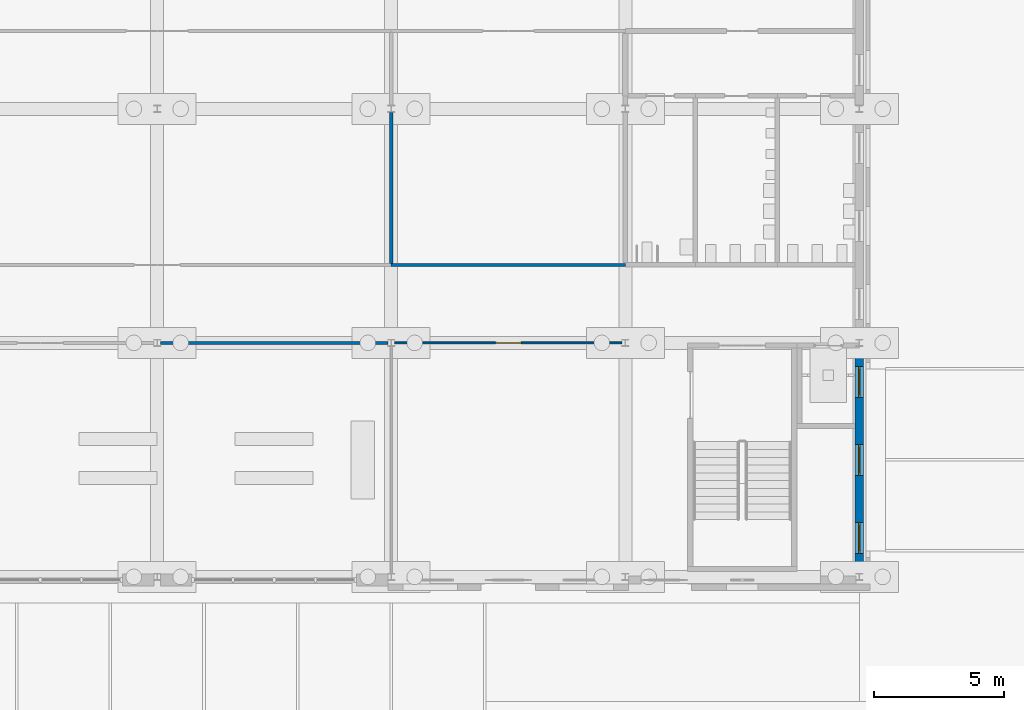
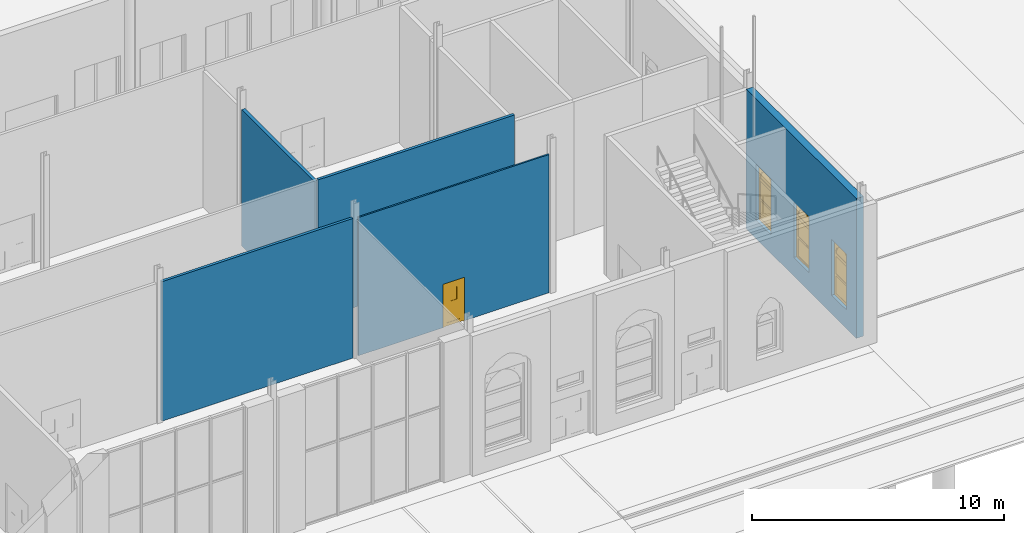
# One storey, part 116 of 250: 5 walls, 3 windows, 1 door, 4 openings.
"""IFC4 building model written with IfcOpenShell, lengths in metres."""

from ifc_helpers import new_model, si_unit, direction, frame, frame_2d, origin, place, context, subcontext, project, spatial, polyline, rectangle, outline, extrude, material, layer, layer_set, type_object, element, fill, save


model = new_model("IFC4")

# Units and contexts
model_context = context("Model", 3, precision=1e-05, world=origin(), true_north=direction((0.0, 1.0)))
body_context = subcontext(model_context, "Body", "Model", "MODEL_VIEW")
ifc_project = project(units=[si_unit("LENGTHUNIT", "METRE"), si_unit("AREAUNIT", "SQUARE_METRE"), si_unit("VOLUMEUNIT", "CUBIC_METRE"), si_unit("PLANEANGLEUNIT", "RADIAN"), si_unit("MASSUNIT", "GRAM", prefix="KILO")], contexts=[model_context])

# Site, building, storey
site_placement = place(None, origin())
site = spatial("IfcSite", under=ifc_project, at=site_placement, CompositionType="ELEMENT")
building_placement = place(site_placement, origin())
building = spatial("IfcBuilding", under=site, at=building_placement, Name="Baradari Gate Terminus", CompositionType="ELEMENT")
storey_placement = place(building_placement, origin())
storey = spatial("IfcBuildingStorey", under=building, at=storey_placement, Name="L00", CompositionType="ELEMENT", Elevation=0.0)

# Walls
ifc_material_1 = material(Name="Gypsum board")
ifc_layer_1 = layer(ifc_material_1, 0.125)
ifc_layer_set_1 = layer_set([ifc_layer_1], Name="Gypsum board")
wall_type_1 = type_object("IfcWallType", Name="Corridor partition PT-5 125 EI 30", PredefinedType="PARTITIONING", material=ifc_layer_set_1)
wall_1_placement = place(storey_placement, frame((134.871826171875, 18.0, 0.0), z_axis=(0.0, 0.0, 1.0), x_axis=(-1.0, 0.0, 0.0)))
element("IfcWall", 1, at=wall_1_placement, inside=storey, type_object=wall_type_1, Name="PT-5 partition Corridor (Service Corridor South) / South Waiting Lounge", PredefinedType="PARTITIONING", context=body_context, shape_type="SweptSolid", body=[
    extrude(rectangle(XDim=8.74365234375, YDim=0.125, at=frame_2d((4.371826171875, 0.0))), origin(), (0.0, 0.0, 1.0), 6.757080078125),
])
wall_2_placement = place(storey_placement, frame((135.0, 21.0, 0.0), z_axis=(0.0, 0.0, 1.0), x_axis=(1.0, 0.0, 0.0)))
element("IfcWall", 2, at=wall_2_placement, inside=storey, type_object=wall_type_1, Name="PT-5 partition Corridor (Service Corridor South) / Staff Mess", PredefinedType="PARTITIONING", context=body_context, shape_type="SweptSolid", body=[
    extrude(rectangle(XDim=9.0, YDim=0.125, at=frame_2d((4.5, 0.0))), origin(), (0.0, 0.0, 1.0), 6.757080078125),
])

# Wall, opening, door
ifc_material_2 = material(Name="Aluminium framed glazed partition", Category="aluminium")
ifc_layer_2 = layer(ifc_material_2, 0.074951171875)
ifc_layer_set_2 = layer_set([ifc_layer_2], Name="Aluminium framed glazed partition")
wall_type_2 = type_object("IfcWallType", Name="Kiosk partition PT-9 75 EI 60", PredefinedType="PARTITIONING", material=ifc_layer_set_2)
wall_3_placement = place(storey_placement, frame((143.871826171875, 18.0, 0.0), z_axis=(0.0, 0.0, 1.0), x_axis=(-1.0, 0.0, 0.0)))
wall_3 = element("IfcWall", 3, at=wall_3_placement, inside=storey, type_object=wall_type_2, Name="PT-9 partition Corridor (Service Corridor South) / Parcel Counter", PredefinedType="PARTITIONING", context=body_context, shape_type="SweptSolid", body=[
    extrude(rectangle(XDim=8.74365234375, YDim=0.074951171875, at=frame_2d((4.371826171875, 0.0))), origin(), (0.0, 0.0, 1.0), 6.69189453125),
])
opening_1_placement = place(wall_3_placement, frame((3.871826171875, 0.0, 0.0)))
opening_1 = element("IfcOpeningElement", 4, at=opening_1_placement, cuts=wall_3, Name="Opening D00-147", PredefinedType="OPENING", context=body_context, shape_type="SweptSolid", body=[
    extrude(rectangle(XDim=1.0, YDim=2.10009765625, at=frame_2d((0.5, 1.050048828125))), frame((0.0, 0.04736328125, 0.0), z_axis=(0.0, -1.0, 0.0), x_axis=(1.0, 0.0, 0.0)), (0.0, 0.0, 1.0), 0.094970703125),
])
ifc_material_3 = material(Name="Steel S275", Category="steel")
door_type = type_object("IfcDoorType", Name="Fire door FI-1000-FD60S 1000x2100 FD60S", OperationType="SINGLE_SWING_LEFT", PredefinedType="DOOR", material=ifc_material_3)
door_placement = place(opening_1_placement, origin())
door = element("IfcDoor", 5, at=door_placement, inside=storey, type_object=door_type, Name="Door Parcel Counter", OperationType="SINGLE_SWING_RIGHT", OverallHeight=2.1, OverallWidth=1.0, PredefinedType="DOOR", context=body_context, shape_type="SweptSolid", body=[
    extrude(outline(polyline([(0.0, 0.0), (0.070068359375, 0.0), (0.070068359375, 2.030029296875), (0.929931640625, 2.030029296875), (0.929931640625, 0.0), (1.0, 0.0), (1.0, 2.10009765625), (0.0, 2.10009765625), (0.0, 0.0)])), frame((0.0, 0.02490234375, 0.0), z_axis=(0.0, -1.0, 0.0), x_axis=(1.0, 0.0, 0.0)), (0.0, 0.0, 1.0), 0.050048828125),
    extrude(outline(polyline([(0.073974609375, 0.010009765625), (0.926025390625, 0.010009765625), (0.926025390625, 2.026123046875), (0.073974609375, 2.026123046875), (0.073974609375, 0.010009765625)]), holes=[polyline([(0.194091796875, 0.159912109375), (0.805908203125, 0.159912109375), (0.805908203125, 1.010009765625), (0.194091796875, 1.010009765625), (0.194091796875, 0.159912109375)]), polyline([(0.35009765625, 1.159912109375), (0.64990234375, 1.159912109375), (0.64990234375, 1.760009765625), (0.35009765625, 1.760009765625), (0.35009765625, 1.159912109375)])]), frame((0.0, 0.017333984375, 0.0), z_axis=(0.0, -1.0, 0.0), x_axis=(1.0, 0.0, 0.0)), (0.0, 0.0, 1.0), 0.034912109375),
    extrude(rectangle(XDim=0.61181640625, YDim=0.85009765625, at=frame_2d((0.5, 0.5849609375))), frame((0.0, 0.008544921875, 0.0), z_axis=(0.0, -1.0, 0.0), x_axis=(1.0, 0.0, 0.0)), (0.0, 0.0, 1.0), 0.017333984375),
    extrude(rectangle(XDim=0.2998046875, YDim=0.60009765625, at=frame_2d((0.5, 1.4599609375))), frame((0.0, 0.005859375, 0.0), z_axis=(0.0, -1.0, 0.0), x_axis=(1.0, 0.0, 0.0)), (0.0, 0.0, 1.0), 0.011962890625),
])
fill(opening_1, door)

# Wall
ifc_material_4 = material(Name="Blockwork wall, plastered", Category="masonry")
ifc_layer_3 = layer(ifc_material_4, 0.14990234375)
ifc_layer_set_3 = layer_set([ifc_layer_3], Name="Blockwork wall, plastered")
wall_type_3 = type_object("IfcWallType", Name="Partition PT-2 150 EI 60", PredefinedType="PARTITIONING", material=ifc_layer_set_3)
wall_4_placement = place(storey_placement, frame((135.0, 26.869873046875, 0.0), z_axis=(0.0, 0.0, 1.0), x_axis=(0.0, -1.0, 0.0)))
element("IfcWall", 6, at=wall_4_placement, inside=storey, type_object=wall_type_3, Name="PT-2 partition Baggage Hall / Staff Mess", PredefinedType="PARTITIONING", context=body_context, shape_type="SweptSolid", body=[
    extrude(rectangle(XDim=5.807373046875, YDim=0.14990234375, at=frame_2d((2.90380859375, 0.0))), origin(), (0.0, 0.0, 1.0), 6.60009765625),
])

# Wall, openings, windows
ifc_material_5 = material(Name="Sandstone masonry", Category="masonry")
ifc_layer_4 = layer(ifc_material_5, 0.320068359375)
ifc_layer_set_4 = layer_set([ifc_layer_4], Name="Sandstone masonry")
wall_type_4 = type_object("IfcWallType", Name="Sandstone masonry wall WS-3 320", PredefinedType="SOLIDWALL", material=ifc_layer_set_4)
wall_5_placement = place(storey_placement, frame((153.0, 9.126953125, 0.0), z_axis=(0.0, 0.0, 1.0), x_axis=(0.0, 1.0, 0.0)))
wall_5 = element("IfcWall", 7, at=wall_5_placement, inside=storey, type_object=wall_type_4, Name="east end wall SE bay 2 L00", PredefinedType="SOLIDWALL", context=body_context, shape_type="SweptSolid", body=[
    extrude(rectangle(XDim=8.742919921875, YDim=0.320068359375, at=frame_2d((4.37158203125, 0.0))), origin(), (0.0, 0.0, 1.0), 6.767333984375),
])
opening_2_placement = place(wall_5_placement, frame((0.77294921875, 0.0, 0.89990234375)))
opening_2 = element("IfcOpeningElement", 8, at=opening_2_placement, cuts=wall_5, Name="Opening W7", PredefinedType="OPENING", context=body_context, shape_type="SweptSolid", body=[
    extrude(rectangle(XDim=1.199951171875, YDim=2.699951171875, at=frame_2d((0.60009765625, 1.35009765625))), frame((0.0, 0.169921875, 0.0), z_axis=(0.0, -1.0, 0.0), x_axis=(1.0, 0.0, 0.0)), (0.0, 0.0, 1.0), 0.340087890625),
])
opening_3_placement = place(wall_5_placement, frame((3.77294921875, 0.0, 0.89990234375)))
opening_3 = element("IfcOpeningElement", 9, at=opening_3_placement, cuts=wall_5, Name="Opening W7", PredefinedType="OPENING", context=body_context, shape_type="SweptSolid", body=[
    extrude(rectangle(XDim=1.199951171875, YDim=2.699951171875, at=frame_2d((0.60009765625, 1.35009765625))), frame((0.0, 0.169921875, 0.0), z_axis=(0.0, -1.0, 0.0), x_axis=(1.0, 0.0, 0.0)), (0.0, 0.0, 1.0), 0.340087890625),
])
opening_4_placement = place(wall_5_placement, frame((6.77294921875, 0.0, 0.89990234375)))
opening_4 = element("IfcOpeningElement", 10, at=opening_4_placement, cuts=wall_5, Name="Opening W7", PredefinedType="OPENING", context=body_context, shape_type="SweptSolid", body=[
    extrude(rectangle(XDim=1.199951171875, YDim=2.699951171875, at=frame_2d((0.60009765625, 1.35009765625))), frame((0.0, 0.169921875, 0.0), z_axis=(0.0, -1.0, 0.0), x_axis=(1.0, 0.0, 0.0)), (0.0, 0.0, 1.0), 0.340087890625),
])
ifc_material_6 = material(Name="Aluminium 6063-T6", Category="aluminium")
window_type = type_object("IfcWindowType", Name="Service block window W7 1200x2700", PartitioningType="DOUBLE_PANEL_HORIZONTAL", PredefinedType="WINDOW", material=ifc_material_6)
window_1_placement = place(opening_2_placement, origin())
window_1 = element("IfcWindow", 11, at=window_1_placement, inside=storey, type_object=window_type, Name="Window W7 SE/01", OverallHeight=2.7, OverallWidth=1.2, PartitioningType="DOUBLE_PANEL_HORIZONTAL", PredefinedType="WINDOW", context=body_context, shape_type="SweptSolid", body=[
    extrude(outline(polyline([(0.0, 0.0), (1.199951171875, 0.0), (1.199951171875, 1.969970703125), (1.195068359375, 2.05517578125), (1.180419921875, 2.13916015625), (1.15625, 2.220947265625), (1.123046875, 2.29931640625), (1.0810546875, 2.37353515625), (1.03076171875, 2.4423828125), (0.972900390625, 2.505126953125), (0.908203125, 2.560791015625), (0.837646484375, 2.608642578125), (0.76220703125, 2.648193359375), (0.6826171875, 2.6787109375), (0.599853515625, 2.699951171875), (0.517333984375, 2.6787109375), (0.437744140625, 2.648193359375), (0.3623046875, 2.608642578125), (0.291748046875, 2.560791015625), (0.22705078125, 2.505126953125), (0.169189453125, 2.4423828125), (0.118896484375, 2.37353515625), (0.076904296875, 2.29931640625), (0.043701171875, 2.220947265625), (0.01953125, 2.13916015625), (0.0048828125, 2.05517578125), (0.0, 1.969970703125), (0.0, 0.0)]), holes=[polyline([(0.070068359375, 0.070068359375), (1.1298828125, 0.070068359375), (1.1298828125, 1.969970703125), (1.12548828125, 2.0458984375), (1.11279296875, 2.12109375), (1.091552734375, 2.1943359375), (1.062255859375, 2.2646484375), (1.025390625, 2.3310546875), (0.98095703125, 2.39306640625), (0.929931640625, 2.44970703125), (0.873046875, 2.500244140625), (0.810791015625, 2.5439453125), (0.743896484375, 2.58056640625), (0.67333984375, 2.609375), (0.60009765625, 2.6298828125), (0.526611328125, 2.609375), (0.4560546875, 2.58056640625), (0.38916015625, 2.5439453125), (0.326904296875, 2.500244140625), (0.27001953125, 2.44970703125), (0.218994140625, 2.39306640625), (0.174560546875, 2.3310546875), (0.1376953125, 2.2646484375), (0.1083984375, 2.1943359375), (0.087158203125, 2.12109375), (0.074462890625, 2.0458984375), (0.070068359375, 1.969970703125), (0.070068359375, 0.070068359375)])]), frame((0.0, 0.030029296875, 0.0), z_axis=(0.0, -1.0, 0.0), x_axis=(1.0, 0.0, 0.0)), (0.0, 0.0, 1.0), 0.06005859375),
    extrude(outline(polyline([(0.0, 1.969970703125), (0.0048828125, 2.05517578125), (0.01953125, 2.13916015625), (0.043701171875, 2.220947265625), (0.076904296875, 2.29931640625), (0.118896484375, 2.37353515625), (0.169189453125, 2.4423828125), (0.22705078125, 2.505126953125), (0.291748046875, 2.560791015625), (0.3623046875, 2.608642578125), (0.437744140625, 2.648193359375), (0.517333984375, 2.6787109375), (0.599853515625, 2.699951171875), (0.0, 2.699951171875), (0.0, 1.969970703125)])), frame((0.0, 0.028076171875, 0.0), z_axis=(0.0, -1.0, 0.0), x_axis=(1.0, 0.0, 0.0)), (0.0, 0.0, 1.0), 0.05615234375),
    extrude(outline(polyline([(0.599853515625, 2.699951171875), (0.6826171875, 2.6787109375), (0.76220703125, 2.648193359375), (0.837646484375, 2.608642578125), (0.908203125, 2.560791015625), (0.972900390625, 2.505126953125), (1.03076171875, 2.4423828125), (1.0810546875, 2.37353515625), (1.123046875, 2.29931640625), (1.15625, 2.220947265625), (1.180419921875, 2.13916015625), (1.195068359375, 2.05517578125), (1.199951171875, 1.969970703125), (1.199951171875, 2.699951171875), (0.599853515625, 2.699951171875)])), frame((0.0, 0.027099609375, 0.0), z_axis=(0.0, -1.0, 0.0), x_axis=(1.0, 0.0, 0.0)), (0.0, 0.0, 1.0), 0.05419921875),
    extrude(outline(polyline([(1.127685546875, 2.010009765625), (0.072265625, 2.010009765625), (0.070068359375, 1.969970703125), (0.070068359375, 1.929931640625), (1.1298828125, 1.929931640625), (1.1298828125, 1.969970703125), (1.127685546875, 2.010009765625)])), frame((0.0, 0.02099609375, 0.0), z_axis=(0.0, -1.0, 0.0), x_axis=(1.0, 0.0, 0.0)), (0.0, 0.0, 1.0), 0.0419921875),
    extrude(rectangle(XDim=1.059814453125, YDim=0.0400390625, at=frame_2d((0.60009765625, 1.0))), frame((0.0, 0.021484375, 0.0), z_axis=(0.0, -1.0, 0.0), x_axis=(1.0, 0.0, 0.0)), (0.0, 0.0, 1.0), 0.04296875),
    extrude(outline(polyline([(0.070068359375, 0.070068359375), (1.1298828125, 0.070068359375), (1.1298828125, 0.97998046875), (0.070068359375, 0.97998046875), (0.070068359375, 0.070068359375)]), holes=[polyline([(0.10009765625, 0.10009765625), (1.099853515625, 0.10009765625), (1.099853515625, 0.949951171875), (0.10009765625, 0.949951171875), (0.10009765625, 0.10009765625)])]), frame((0.0, 0.0224609375, 0.0), z_axis=(0.0, -1.0, 0.0), x_axis=(1.0, 0.0, 0.0)), (0.0, 0.0, 1.0), 0.044921875),
    extrude(rectangle(XDim=0.999755859375, YDim=0.849853515625, at=frame_2d((0.60009765625, 0.52490234375))), frame((0.0, 0.006103515625, 0.0), z_axis=(0.0, -1.0, 0.0), x_axis=(1.0, 0.0, 0.0)), (0.0, 0.0, 1.0), 0.01220703125),
    extrude(outline(polyline([(0.070068359375, 1.02001953125), (1.1298828125, 1.02001953125), (1.1298828125, 1.929931640625), (0.070068359375, 1.929931640625), (0.070068359375, 1.02001953125)]), holes=[polyline([(0.10009765625, 1.050048828125), (1.099853515625, 1.050048828125), (1.099853515625, 1.89990234375), (0.10009765625, 1.89990234375), (0.10009765625, 1.050048828125)])]), frame((0.0, 0.0224609375, 0.0), z_axis=(0.0, -1.0, 0.0), x_axis=(1.0, 0.0, 0.0)), (0.0, 0.0, 1.0), 0.044921875),
    extrude(rectangle(XDim=0.999755859375, YDim=0.849853515625, at=frame_2d((0.60009765625, 1.47509765625))), frame((0.0, 0.006103515625, 0.0), z_axis=(0.0, -1.0, 0.0), x_axis=(1.0, 0.0, 0.0)), (0.0, 0.0, 1.0), 0.01220703125),
    extrude(outline(polyline([(0.072265625, 2.010009765625), (1.127685546875, 2.010009765625), (1.12548828125, 2.0458984375), (1.11279296875, 2.12109375), (1.091552734375, 2.1943359375), (1.062255859375, 2.2646484375), (1.025390625, 2.3310546875), (0.98095703125, 2.39306640625), (0.929931640625, 2.44970703125), (0.873046875, 2.500244140625), (0.810791015625, 2.5439453125), (0.743896484375, 2.58056640625), (0.67333984375, 2.609375), (0.60009765625, 2.6298828125), (0.526611328125, 2.609375), (0.4560546875, 2.58056640625), (0.38916015625, 2.5439453125), (0.326904296875, 2.500244140625), (0.27001953125, 2.44970703125), (0.218994140625, 2.39306640625), (0.174560546875, 2.3310546875), (0.1376953125, 2.2646484375), (0.1083984375, 2.1943359375), (0.087158203125, 2.12109375), (0.074462890625, 2.0458984375), (0.072265625, 2.010009765625)]), holes=[polyline([(0.10986328125, 2.044921875), (0.121337890625, 2.11328125), (0.141357421875, 2.1826171875), (0.169189453125, 2.249267578125), (0.2041015625, 2.312255859375), (0.246337890625, 2.37109375), (0.294677734375, 2.4248046875), (0.3486328125, 2.47265625), (0.40771484375, 2.51416015625), (0.47119140625, 2.548828125), (0.5380859375, 2.576171875), (0.60009765625, 2.593505859375), (0.661865234375, 2.576171875), (0.728759765625, 2.548828125), (0.792236328125, 2.51416015625), (0.851318359375, 2.47265625), (0.9052734375, 2.4248046875), (0.95361328125, 2.37109375), (0.995849609375, 2.312255859375), (1.03076171875, 2.249267578125), (1.05859375, 2.1826171875), (1.07861328125, 2.11328125), (1.090087890625, 2.044921875), (0.10986328125, 2.044921875)])]), frame((0.0, 0.0224609375, 0.0), z_axis=(0.0, -1.0, 0.0), x_axis=(1.0, 0.0, 0.0)), (0.0, 0.0, 1.0), 0.044921875),
    extrude(outline(polyline([(1.090087890625, 2.044921875), (1.07861328125, 2.11328125), (1.05859375, 2.1826171875), (1.03076171875, 2.249267578125), (0.995849609375, 2.312255859375), (0.95361328125, 2.37109375), (0.9052734375, 2.4248046875), (0.851318359375, 2.47265625), (0.792236328125, 2.51416015625), (0.728759765625, 2.548828125), (0.661865234375, 2.576171875), (0.60009765625, 2.593505859375), (0.5380859375, 2.576171875), (0.47119140625, 2.548828125), (0.40771484375, 2.51416015625), (0.3486328125, 2.47265625), (0.294677734375, 2.4248046875), (0.246337890625, 2.37109375), (0.2041015625, 2.312255859375), (0.169189453125, 2.249267578125), (0.141357421875, 2.1826171875), (0.121337890625, 2.11328125), (0.10986328125, 2.044921875), (1.090087890625, 2.044921875)])), frame((0.0, 0.006103515625, 0.0), z_axis=(0.0, -1.0, 0.0), x_axis=(1.0, 0.0, 0.0)), (0.0, 0.0, 1.0), 0.01220703125),
])
fill(opening_2, window_1)
window_2_placement = place(opening_3_placement, origin())
window_2 = element("IfcWindow", 12, at=window_2_placement, inside=storey, type_object=window_type, Name="Window W7 SE/01", OverallHeight=2.7, OverallWidth=1.2, PartitioningType="DOUBLE_PANEL_HORIZONTAL", PredefinedType="WINDOW", context=body_context, shape_type="SweptSolid", body=[
    extrude(outline(polyline([(0.0, 0.0), (1.199951171875, 0.0), (1.199951171875, 1.969970703125), (1.195068359375, 2.05517578125), (1.180419921875, 2.13916015625), (1.15625, 2.220947265625), (1.123046875, 2.29931640625), (1.0810546875, 2.37353515625), (1.03076171875, 2.4423828125), (0.972900390625, 2.505126953125), (0.908203125, 2.560791015625), (0.837646484375, 2.608642578125), (0.76220703125, 2.648193359375), (0.6826171875, 2.6787109375), (0.599853515625, 2.699951171875), (0.517333984375, 2.6787109375), (0.437744140625, 2.648193359375), (0.3623046875, 2.608642578125), (0.291748046875, 2.560791015625), (0.22705078125, 2.505126953125), (0.169189453125, 2.4423828125), (0.118896484375, 2.37353515625), (0.076904296875, 2.29931640625), (0.043701171875, 2.220947265625), (0.01953125, 2.13916015625), (0.0048828125, 2.05517578125), (0.0, 1.969970703125), (0.0, 0.0)]), holes=[polyline([(0.070068359375, 0.070068359375), (1.1298828125, 0.070068359375), (1.1298828125, 1.969970703125), (1.12548828125, 2.0458984375), (1.11279296875, 2.12109375), (1.091552734375, 2.1943359375), (1.062255859375, 2.2646484375), (1.025390625, 2.3310546875), (0.98095703125, 2.39306640625), (0.929931640625, 2.44970703125), (0.873046875, 2.500244140625), (0.810791015625, 2.5439453125), (0.743896484375, 2.58056640625), (0.67333984375, 2.609375), (0.60009765625, 2.6298828125), (0.526611328125, 2.609375), (0.4560546875, 2.58056640625), (0.38916015625, 2.5439453125), (0.326904296875, 2.500244140625), (0.27001953125, 2.44970703125), (0.218994140625, 2.39306640625), (0.174560546875, 2.3310546875), (0.1376953125, 2.2646484375), (0.1083984375, 2.1943359375), (0.087158203125, 2.12109375), (0.074462890625, 2.0458984375), (0.070068359375, 1.969970703125), (0.070068359375, 0.070068359375)])]), frame((0.0, 0.030029296875, 0.0), z_axis=(0.0, -1.0, 0.0), x_axis=(1.0, 0.0, 0.0)), (0.0, 0.0, 1.0), 0.06005859375),
    extrude(outline(polyline([(0.0, 1.969970703125), (0.0048828125, 2.05517578125), (0.01953125, 2.13916015625), (0.043701171875, 2.220947265625), (0.076904296875, 2.29931640625), (0.118896484375, 2.37353515625), (0.169189453125, 2.4423828125), (0.22705078125, 2.505126953125), (0.291748046875, 2.560791015625), (0.3623046875, 2.608642578125), (0.437744140625, 2.648193359375), (0.517333984375, 2.6787109375), (0.599853515625, 2.699951171875), (0.0, 2.699951171875), (0.0, 1.969970703125)])), frame((0.0, 0.028076171875, 0.0), z_axis=(0.0, -1.0, 0.0), x_axis=(1.0, 0.0, 0.0)), (0.0, 0.0, 1.0), 0.05615234375),
    extrude(outline(polyline([(0.599853515625, 2.699951171875), (0.6826171875, 2.6787109375), (0.76220703125, 2.648193359375), (0.837646484375, 2.608642578125), (0.908203125, 2.560791015625), (0.972900390625, 2.505126953125), (1.03076171875, 2.4423828125), (1.0810546875, 2.37353515625), (1.123046875, 2.29931640625), (1.15625, 2.220947265625), (1.180419921875, 2.13916015625), (1.195068359375, 2.05517578125), (1.199951171875, 1.969970703125), (1.199951171875, 2.699951171875), (0.599853515625, 2.699951171875)])), frame((0.0, 0.027099609375, 0.0), z_axis=(0.0, -1.0, 0.0), x_axis=(1.0, 0.0, 0.0)), (0.0, 0.0, 1.0), 0.05419921875),
    extrude(outline(polyline([(1.127685546875, 2.010009765625), (0.072265625, 2.010009765625), (0.070068359375, 1.969970703125), (0.070068359375, 1.929931640625), (1.1298828125, 1.929931640625), (1.1298828125, 1.969970703125), (1.127685546875, 2.010009765625)])), frame((0.0, 0.02099609375, 0.0), z_axis=(0.0, -1.0, 0.0), x_axis=(1.0, 0.0, 0.0)), (0.0, 0.0, 1.0), 0.0419921875),
    extrude(rectangle(XDim=1.059814453125, YDim=0.0400390625, at=frame_2d((0.60009765625, 1.0))), frame((0.0, 0.021484375, 0.0), z_axis=(0.0, -1.0, 0.0), x_axis=(1.0, 0.0, 0.0)), (0.0, 0.0, 1.0), 0.04296875),
    extrude(outline(polyline([(0.070068359375, 0.070068359375), (1.1298828125, 0.070068359375), (1.1298828125, 0.97998046875), (0.070068359375, 0.97998046875), (0.070068359375, 0.070068359375)]), holes=[polyline([(0.10009765625, 0.10009765625), (1.099853515625, 0.10009765625), (1.099853515625, 0.949951171875), (0.10009765625, 0.949951171875), (0.10009765625, 0.10009765625)])]), frame((0.0, 0.0224609375, 0.0), z_axis=(0.0, -1.0, 0.0), x_axis=(1.0, 0.0, 0.0)), (0.0, 0.0, 1.0), 0.044921875),
    extrude(rectangle(XDim=0.999755859375, YDim=0.849853515625, at=frame_2d((0.60009765625, 0.52490234375))), frame((0.0, 0.006103515625, 0.0), z_axis=(0.0, -1.0, 0.0), x_axis=(1.0, 0.0, 0.0)), (0.0, 0.0, 1.0), 0.01220703125),
    extrude(outline(polyline([(0.070068359375, 1.02001953125), (1.1298828125, 1.02001953125), (1.1298828125, 1.929931640625), (0.070068359375, 1.929931640625), (0.070068359375, 1.02001953125)]), holes=[polyline([(0.10009765625, 1.050048828125), (1.099853515625, 1.050048828125), (1.099853515625, 1.89990234375), (0.10009765625, 1.89990234375), (0.10009765625, 1.050048828125)])]), frame((0.0, 0.0224609375, 0.0), z_axis=(0.0, -1.0, 0.0), x_axis=(1.0, 0.0, 0.0)), (0.0, 0.0, 1.0), 0.044921875),
    extrude(rectangle(XDim=0.999755859375, YDim=0.849853515625, at=frame_2d((0.60009765625, 1.47509765625))), frame((0.0, 0.006103515625, 0.0), z_axis=(0.0, -1.0, 0.0), x_axis=(1.0, 0.0, 0.0)), (0.0, 0.0, 1.0), 0.01220703125),
    extrude(outline(polyline([(0.072265625, 2.010009765625), (1.127685546875, 2.010009765625), (1.12548828125, 2.0458984375), (1.11279296875, 2.12109375), (1.091552734375, 2.1943359375), (1.062255859375, 2.2646484375), (1.025390625, 2.3310546875), (0.98095703125, 2.39306640625), (0.929931640625, 2.44970703125), (0.873046875, 2.500244140625), (0.810791015625, 2.5439453125), (0.743896484375, 2.58056640625), (0.67333984375, 2.609375), (0.60009765625, 2.6298828125), (0.526611328125, 2.609375), (0.4560546875, 2.58056640625), (0.38916015625, 2.5439453125), (0.326904296875, 2.500244140625), (0.27001953125, 2.44970703125), (0.218994140625, 2.39306640625), (0.174560546875, 2.3310546875), (0.1376953125, 2.2646484375), (0.1083984375, 2.1943359375), (0.087158203125, 2.12109375), (0.074462890625, 2.0458984375), (0.072265625, 2.010009765625)]), holes=[polyline([(0.10986328125, 2.044921875), (0.121337890625, 2.11328125), (0.141357421875, 2.1826171875), (0.169189453125, 2.249267578125), (0.2041015625, 2.312255859375), (0.246337890625, 2.37109375), (0.294677734375, 2.4248046875), (0.3486328125, 2.47265625), (0.40771484375, 2.51416015625), (0.47119140625, 2.548828125), (0.5380859375, 2.576171875), (0.60009765625, 2.593505859375), (0.661865234375, 2.576171875), (0.728759765625, 2.548828125), (0.792236328125, 2.51416015625), (0.851318359375, 2.47265625), (0.9052734375, 2.4248046875), (0.95361328125, 2.37109375), (0.995849609375, 2.312255859375), (1.03076171875, 2.249267578125), (1.05859375, 2.1826171875), (1.07861328125, 2.11328125), (1.090087890625, 2.044921875), (0.10986328125, 2.044921875)])]), frame((0.0, 0.0224609375, 0.0), z_axis=(0.0, -1.0, 0.0), x_axis=(1.0, 0.0, 0.0)), (0.0, 0.0, 1.0), 0.044921875),
    extrude(outline(polyline([(1.090087890625, 2.044921875), (1.07861328125, 2.11328125), (1.05859375, 2.1826171875), (1.03076171875, 2.249267578125), (0.995849609375, 2.312255859375), (0.95361328125, 2.37109375), (0.9052734375, 2.4248046875), (0.851318359375, 2.47265625), (0.792236328125, 2.51416015625), (0.728759765625, 2.548828125), (0.661865234375, 2.576171875), (0.60009765625, 2.593505859375), (0.5380859375, 2.576171875), (0.47119140625, 2.548828125), (0.40771484375, 2.51416015625), (0.3486328125, 2.47265625), (0.294677734375, 2.4248046875), (0.246337890625, 2.37109375), (0.2041015625, 2.312255859375), (0.169189453125, 2.249267578125), (0.141357421875, 2.1826171875), (0.121337890625, 2.11328125), (0.10986328125, 2.044921875), (1.090087890625, 2.044921875)])), frame((0.0, 0.006103515625, 0.0), z_axis=(0.0, -1.0, 0.0), x_axis=(1.0, 0.0, 0.0)), (0.0, 0.0, 1.0), 0.01220703125),
])
fill(opening_3, window_2)
window_3_placement = place(opening_4_placement, origin())
window_3 = element("IfcWindow", 13, at=window_3_placement, inside=storey, type_object=window_type, Name="Window W7 SE/01", OverallHeight=2.7, OverallWidth=1.2, PartitioningType="DOUBLE_PANEL_HORIZONTAL", PredefinedType="WINDOW", context=body_context, shape_type="SweptSolid", body=[
    extrude(outline(polyline([(0.0, 0.0), (1.199951171875, 0.0), (1.199951171875, 1.969970703125), (1.195068359375, 2.05517578125), (1.180419921875, 2.13916015625), (1.15625, 2.220947265625), (1.123046875, 2.29931640625), (1.0810546875, 2.37353515625), (1.03076171875, 2.4423828125), (0.972900390625, 2.505126953125), (0.908203125, 2.560791015625), (0.837646484375, 2.608642578125), (0.76220703125, 2.648193359375), (0.6826171875, 2.6787109375), (0.599853515625, 2.699951171875), (0.517333984375, 2.6787109375), (0.437744140625, 2.648193359375), (0.3623046875, 2.608642578125), (0.291748046875, 2.560791015625), (0.22705078125, 2.505126953125), (0.169189453125, 2.4423828125), (0.118896484375, 2.37353515625), (0.076904296875, 2.29931640625), (0.043701171875, 2.220947265625), (0.01953125, 2.13916015625), (0.0048828125, 2.05517578125), (0.0, 1.969970703125), (0.0, 0.0)]), holes=[polyline([(0.070068359375, 0.070068359375), (1.1298828125, 0.070068359375), (1.1298828125, 1.969970703125), (1.12548828125, 2.0458984375), (1.11279296875, 2.12109375), (1.091552734375, 2.1943359375), (1.062255859375, 2.2646484375), (1.025390625, 2.3310546875), (0.98095703125, 2.39306640625), (0.929931640625, 2.44970703125), (0.873046875, 2.500244140625), (0.810791015625, 2.5439453125), (0.743896484375, 2.58056640625), (0.67333984375, 2.609375), (0.60009765625, 2.6298828125), (0.526611328125, 2.609375), (0.4560546875, 2.58056640625), (0.38916015625, 2.5439453125), (0.326904296875, 2.500244140625), (0.27001953125, 2.44970703125), (0.218994140625, 2.39306640625), (0.174560546875, 2.3310546875), (0.1376953125, 2.2646484375), (0.1083984375, 2.1943359375), (0.087158203125, 2.12109375), (0.074462890625, 2.0458984375), (0.070068359375, 1.969970703125), (0.070068359375, 0.070068359375)])]), frame((0.0, 0.030029296875, 0.0), z_axis=(0.0, -1.0, 0.0), x_axis=(1.0, 0.0, 0.0)), (0.0, 0.0, 1.0), 0.06005859375),
    extrude(outline(polyline([(0.0, 1.969970703125), (0.0048828125, 2.05517578125), (0.01953125, 2.13916015625), (0.043701171875, 2.220947265625), (0.076904296875, 2.29931640625), (0.118896484375, 2.37353515625), (0.169189453125, 2.4423828125), (0.22705078125, 2.505126953125), (0.291748046875, 2.560791015625), (0.3623046875, 2.608642578125), (0.437744140625, 2.648193359375), (0.517333984375, 2.6787109375), (0.599853515625, 2.699951171875), (0.0, 2.699951171875), (0.0, 1.969970703125)])), frame((0.0, 0.028076171875, 0.0), z_axis=(0.0, -1.0, 0.0), x_axis=(1.0, 0.0, 0.0)), (0.0, 0.0, 1.0), 0.05615234375),
    extrude(outline(polyline([(0.599853515625, 2.699951171875), (0.6826171875, 2.6787109375), (0.76220703125, 2.648193359375), (0.837646484375, 2.608642578125), (0.908203125, 2.560791015625), (0.972900390625, 2.505126953125), (1.03076171875, 2.4423828125), (1.0810546875, 2.37353515625), (1.123046875, 2.29931640625), (1.15625, 2.220947265625), (1.180419921875, 2.13916015625), (1.195068359375, 2.05517578125), (1.199951171875, 1.969970703125), (1.199951171875, 2.699951171875), (0.599853515625, 2.699951171875)])), frame((0.0, 0.027099609375, 0.0), z_axis=(0.0, -1.0, 0.0), x_axis=(1.0, 0.0, 0.0)), (0.0, 0.0, 1.0), 0.05419921875),
    extrude(outline(polyline([(1.127685546875, 2.010009765625), (0.072265625, 2.010009765625), (0.070068359375, 1.969970703125), (0.070068359375, 1.929931640625), (1.1298828125, 1.929931640625), (1.1298828125, 1.969970703125), (1.127685546875, 2.010009765625)])), frame((0.0, 0.02099609375, 0.0), z_axis=(0.0, -1.0, 0.0), x_axis=(1.0, 0.0, 0.0)), (0.0, 0.0, 1.0), 0.0419921875),
    extrude(rectangle(XDim=1.059814453125, YDim=0.0400390625, at=frame_2d((0.60009765625, 1.0))), frame((0.0, 0.021484375, 0.0), z_axis=(0.0, -1.0, 0.0), x_axis=(1.0, 0.0, 0.0)), (0.0, 0.0, 1.0), 0.04296875),
    extrude(outline(polyline([(0.070068359375, 0.070068359375), (1.1298828125, 0.070068359375), (1.1298828125, 0.97998046875), (0.070068359375, 0.97998046875), (0.070068359375, 0.070068359375)]), holes=[polyline([(0.10009765625, 0.10009765625), (1.099853515625, 0.10009765625), (1.099853515625, 0.949951171875), (0.10009765625, 0.949951171875), (0.10009765625, 0.10009765625)])]), frame((0.0, 0.0224609375, 0.0), z_axis=(0.0, -1.0, 0.0), x_axis=(1.0, 0.0, 0.0)), (0.0, 0.0, 1.0), 0.044921875),
    extrude(rectangle(XDim=0.999755859375, YDim=0.849853515625, at=frame_2d((0.60009765625, 0.52490234375))), frame((0.0, 0.006103515625, 0.0), z_axis=(0.0, -1.0, 0.0), x_axis=(1.0, 0.0, 0.0)), (0.0, 0.0, 1.0), 0.01220703125),
    extrude(outline(polyline([(0.070068359375, 1.02001953125), (1.1298828125, 1.02001953125), (1.1298828125, 1.929931640625), (0.070068359375, 1.929931640625), (0.070068359375, 1.02001953125)]), holes=[polyline([(0.10009765625, 1.050048828125), (1.099853515625, 1.050048828125), (1.099853515625, 1.89990234375), (0.10009765625, 1.89990234375), (0.10009765625, 1.050048828125)])]), frame((0.0, 0.0224609375, 0.0), z_axis=(0.0, -1.0, 0.0), x_axis=(1.0, 0.0, 0.0)), (0.0, 0.0, 1.0), 0.044921875),
    extrude(rectangle(XDim=0.999755859375, YDim=0.849853515625, at=frame_2d((0.60009765625, 1.47509765625))), frame((0.0, 0.006103515625, 0.0), z_axis=(0.0, -1.0, 0.0), x_axis=(1.0, 0.0, 0.0)), (0.0, 0.0, 1.0), 0.01220703125),
    extrude(outline(polyline([(0.072265625, 2.010009765625), (1.127685546875, 2.010009765625), (1.12548828125, 2.0458984375), (1.11279296875, 2.12109375), (1.091552734375, 2.1943359375), (1.062255859375, 2.2646484375), (1.025390625, 2.3310546875), (0.98095703125, 2.39306640625), (0.929931640625, 2.44970703125), (0.873046875, 2.500244140625), (0.810791015625, 2.5439453125), (0.743896484375, 2.58056640625), (0.67333984375, 2.609375), (0.60009765625, 2.6298828125), (0.526611328125, 2.609375), (0.4560546875, 2.58056640625), (0.38916015625, 2.5439453125), (0.326904296875, 2.500244140625), (0.27001953125, 2.44970703125), (0.218994140625, 2.39306640625), (0.174560546875, 2.3310546875), (0.1376953125, 2.2646484375), (0.1083984375, 2.1943359375), (0.087158203125, 2.12109375), (0.074462890625, 2.0458984375), (0.072265625, 2.010009765625)]), holes=[polyline([(0.10986328125, 2.044921875), (0.121337890625, 2.11328125), (0.141357421875, 2.1826171875), (0.169189453125, 2.249267578125), (0.2041015625, 2.312255859375), (0.246337890625, 2.37109375), (0.294677734375, 2.4248046875), (0.3486328125, 2.47265625), (0.40771484375, 2.51416015625), (0.47119140625, 2.548828125), (0.5380859375, 2.576171875), (0.60009765625, 2.593505859375), (0.661865234375, 2.576171875), (0.728759765625, 2.548828125), (0.792236328125, 2.51416015625), (0.851318359375, 2.47265625), (0.9052734375, 2.4248046875), (0.95361328125, 2.37109375), (0.995849609375, 2.312255859375), (1.03076171875, 2.249267578125), (1.05859375, 2.1826171875), (1.07861328125, 2.11328125), (1.090087890625, 2.044921875), (0.10986328125, 2.044921875)])]), frame((0.0, 0.0224609375, 0.0), z_axis=(0.0, -1.0, 0.0), x_axis=(1.0, 0.0, 0.0)), (0.0, 0.0, 1.0), 0.044921875),
    extrude(outline(polyline([(1.090087890625, 2.044921875), (1.07861328125, 2.11328125), (1.05859375, 2.1826171875), (1.03076171875, 2.249267578125), (0.995849609375, 2.312255859375), (0.95361328125, 2.37109375), (0.9052734375, 2.4248046875), (0.851318359375, 2.47265625), (0.792236328125, 2.51416015625), (0.728759765625, 2.548828125), (0.661865234375, 2.576171875), (0.60009765625, 2.593505859375), (0.5380859375, 2.576171875), (0.47119140625, 2.548828125), (0.40771484375, 2.51416015625), (0.3486328125, 2.47265625), (0.294677734375, 2.4248046875), (0.246337890625, 2.37109375), (0.2041015625, 2.312255859375), (0.169189453125, 2.249267578125), (0.141357421875, 2.1826171875), (0.121337890625, 2.11328125), (0.10986328125, 2.044921875), (1.090087890625, 2.044921875)])), frame((0.0, 0.006103515625, 0.0), z_axis=(0.0, -1.0, 0.0), x_axis=(1.0, 0.0, 0.0)), (0.0, 0.0, 1.0), 0.01220703125),
])
fill(opening_4, window_3)

save(model, "model.ifc")
